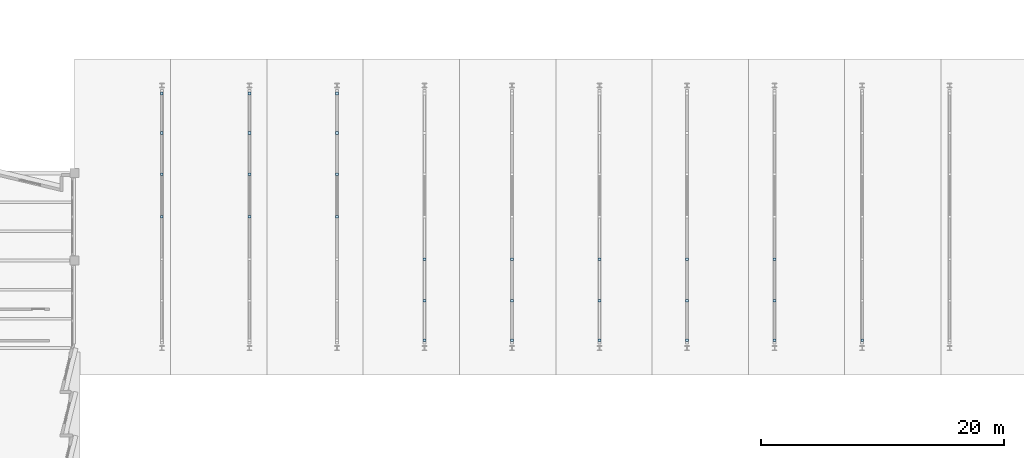
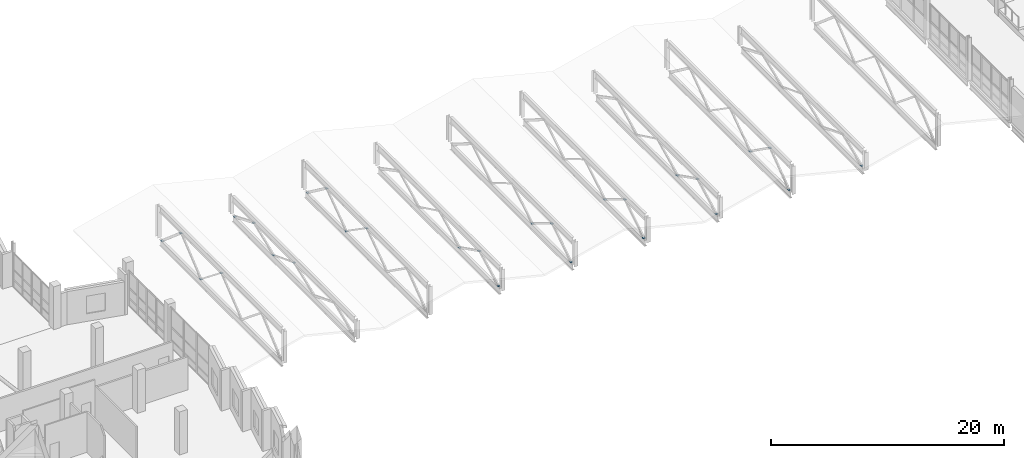
# One storey, part 84 of 123: 28 plates.
"""IFC4 building model written with IfcOpenShell, lengths in metres."""

from ifc_helpers import new_model, si_unit, direction, frame, origin, origin_2d, place, context, subcontext, project, spatial, rectangle, extrude, material, layer, layer_set, type_object, element, save


model = new_model("IFC4")

# Units and contexts
model_context = context("Model", 3, precision=1e-05, world=origin(), true_north=direction((0.0, 1.0)))
body_context = subcontext(model_context, "Body", "Model", "MODEL_VIEW")
ifc_project = project(units=[si_unit("LENGTHUNIT", "METRE"), si_unit("AREAUNIT", "SQUARE_METRE"), si_unit("VOLUMEUNIT", "CUBIC_METRE"), si_unit("PLANEANGLEUNIT", "RADIAN"), si_unit("MASSUNIT", "GRAM", prefix="KILO")], contexts=[model_context])

# Site, building, storey
site_placement = place(None, origin())
site = spatial("IfcSite", under=ifc_project, at=site_placement, CompositionType="ELEMENT")
building_placement = place(site_placement, origin())
building = spatial("IfcBuilding", under=site, at=building_placement, Name="Kalmorath City Hall", CompositionType="ELEMENT")
storey_placement = place(building_placement, frame((0.0, 0.0, 10.199951171875)))
storey = spatial("IfcBuildingStorey", under=building, at=storey_placement, Name="L02", CompositionType="ELEMENT", Elevation=10.199951171875)

# Plates
ifc_material = material(Name="Steel ASTM A572 Grade 50", Category="steel")
ifc_layer = layer(ifc_material, 0.02001953125)
ifc_layer_set = layer_set([ifc_layer], Name="Steel ASTM A572 Grade 50")
plate_type = type_object("IfcPlateType", Name="Steel HSS end-cap plate 220x220x20", PredefinedType="SHEET", material=ifc_layer_set)
for number, where, z_axis, x_axis, name in (
    (1, (43.199951171875, 32.39990234375, 2.762939453125), (0.0, 0.0, 1.0), (1.0, 0.0, 0.0), "Truss web node cap plate GP5-1.4"),
    (2, (43.199951171875, 35.89990234375, -0.01806640625), (0.0, 0.0, 1.0), (1.0, 0.0, 0.0), "Truss web node cap plate GP5-1.5"),
    (3, (43.199951171875, 39.300048828125, 2.762939453125), (0.0, 0.0, 1.0), (1.0, 0.0, 0.0), "Truss web node cap plate GP5-1.6"),
    (4, (43.199951171875, 42.550048828125, -0.01806640625), (0.0, 0.0, 1.0), (1.0, 0.0, 0.0), "Truss web node cap plate GP5-1.7"),
    (5, (50.39990234375, 32.39990234375, 1.322998046875), (0.0, 0.0, 1.0), (1.0, 0.0, 0.0), "Truss web node cap plate GP5-2.4"),
    (6, (50.39990234375, 35.89990234375, -0.01806640625), (0.0, 0.0, 1.0), (1.0, 0.0, 0.0), "Truss web node cap plate GP5-2.5"),
    (7, (50.39990234375, 39.300048828125, 1.322998046875), (0.0, 0.0, 1.0), (1.0, 0.0, 0.0), "Truss web node cap plate GP5-2.6"),
    (8, (50.39990234375, 42.550048828125, -0.01806640625), (0.0, 0.0, 1.0), (1.0, 0.0, 0.0), "Truss web node cap plate GP5-2.7"),
    (9, (57.60009765625, 32.39990234375, 2.403076171875), (0.0, 0.0, 1.0), (1.0, 0.0, 0.0), "Truss web node cap plate GP5-3.4"),
    (10, (57.60009765625, 35.89990234375, -0.01806640625), (0.0, 0.0, 1.0), (1.0, 0.0, 0.0), "Truss web node cap plate GP5-3.5"),
    (11, (57.60009765625, 39.300048828125, 2.403076171875), (0.0, 0.0, 1.0), (1.0, 0.0, 0.0), "Truss web node cap plate GP5-3.6"),
    (12, (57.60009765625, 42.550048828125, -0.01806640625), (0.0, 0.0, 1.0), (1.0, 0.0, 0.0), "Truss web node cap plate GP5-3.7"),
    (13, (64.800048828125, 22.25, -0.01806640625), (0.0, 0.0, 1.0), (1.0, 0.0, 0.0), "Truss web node cap plate GP5-4.1"),
    (14, (64.800048828125, 25.5, 1.68310546875), (0.0, 0.0, 1.0), (1.0, 0.0, 0.0), "Truss web node cap plate GP5-4.2"),
    (15, (64.800048828125, 28.89990234375, -0.01806640625), (0.0, 0.0, 1.0), (1.0, 0.0, 0.0), "Truss web node cap plate GP5-4.3"),
    (16, (72.0, 22.25, -0.01806640625), (0.0, 0.0, 1.0), (1.0, 0.0, 0.0), "Truss web node cap plate GP5-5.1"),
    (17, (72.0, 25.5, 2.04296875), (0.0, 0.0, 1.0), (1.0, 0.0, 0.0), "Truss web node cap plate GP5-5.2"),
    (18, (72.0, 28.89990234375, -0.01806640625), (0.0, 0.0, 1.0), (1.0, 0.0, 0.0), "Truss web node cap plate GP5-5.3"),
    (19, (79.199951171875, 22.25, -0.01806640625), (0.0, 0.0, 1.0), (1.0, 0.0, 0.0), "Truss web node cap plate GP5-6.1"),
    (20, (79.199951171875, 25.5, 2.04296875), (0.0, 0.0, 1.0), (1.0, 0.0, 0.0), "Truss web node cap plate GP5-6.2"),
    (21, (79.199951171875, 28.89990234375, -0.01806640625), (0.0, 0.0, 1.0), (1.0, 0.0, 0.0), "Truss web node cap plate GP5-6.3"),
    (22, (86.39990234375, 22.25, -0.01806640625), (0.0, 0.0, 1.0), (1.0, 0.0, 0.0), "Truss web node cap plate GP5-7.1"),
    (23, (86.39990234375, 25.5, 1.68310546875), (0.0, 0.0, 1.0), (1.0, 0.0, 0.0), "Truss web node cap plate GP5-7.2"),
    (24, (86.39990234375, 28.89990234375, -0.01806640625), (0.0, 0.0, 1.0), (1.0, 0.0, 0.0), "Truss web node cap plate GP5-7.3"),
    (25, (93.60009765625, 22.25, -0.01806640625), (0.0, 0.0, 1.0), (1.0, 0.0, 0.0), "Truss web node cap plate GP5-8.1"),
    (26, (93.60009765625, 25.5, 2.403076171875), (0.0, 0.0, 1.0), (1.0, 0.0, 0.0), "Truss web node cap plate GP5-8.2"),
    (27, (93.60009765625, 28.89990234375, -0.01806640625), (0.0, 0.0, 1.0), (1.0, 0.0, 0.0), "Truss web node cap plate GP5-8.3"),
    (28, (100.800048828125, 22.25, -0.01806640625), (0.0, 0.0, 1.0), (1.0, 0.0, 0.0), "Truss web node cap plate GP5-9.1"),
):
    element("IfcPlate", number, at=place(storey_placement, frame(where, z_axis=z_axis, x_axis=x_axis)), inside=storey, type_object=plate_type, Name=name, PredefinedType="SHEET", context=body_context, shape_type="SweptSolid", body=[
        extrude(rectangle(XDim=0.219970703125, YDim=0.219970703125, at=origin_2d()), origin(), (0.0, 0.0, 1.0), 0.02001953125),
    ])

save(model, "model.ifc")
